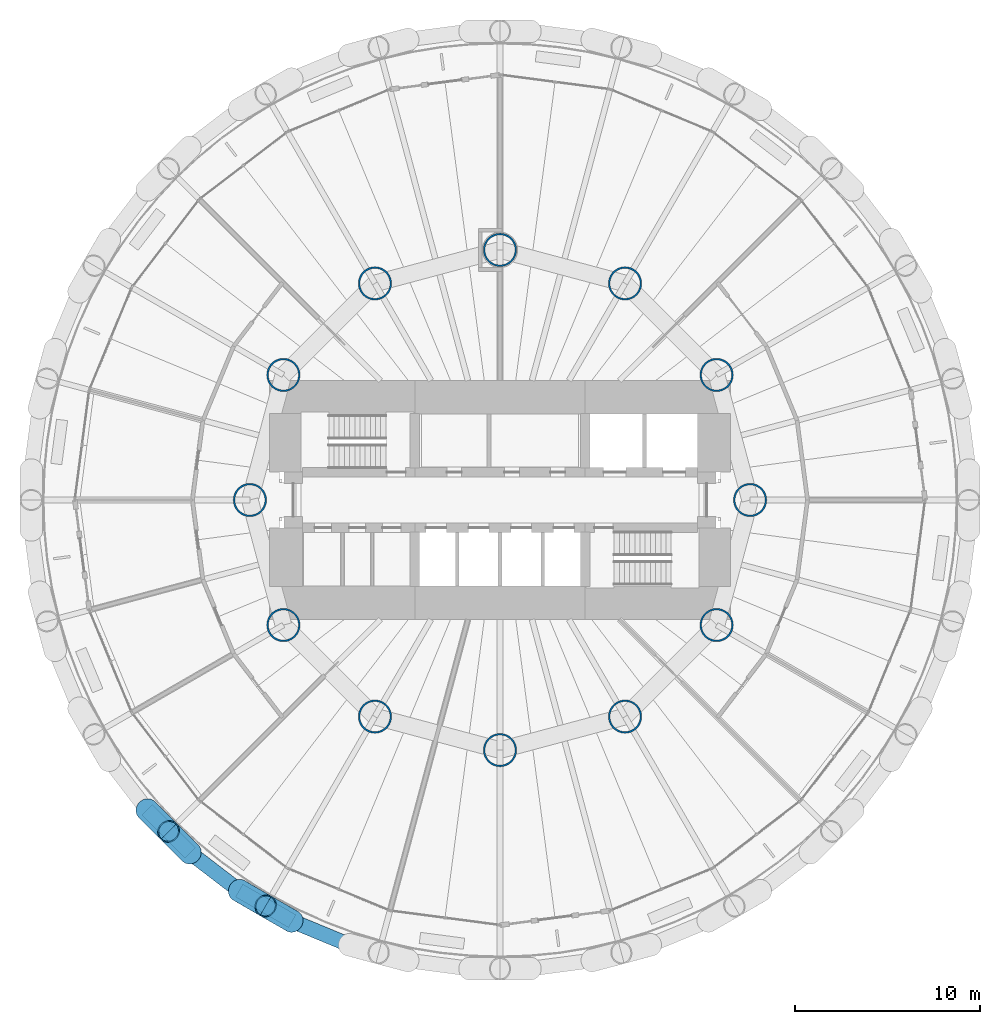
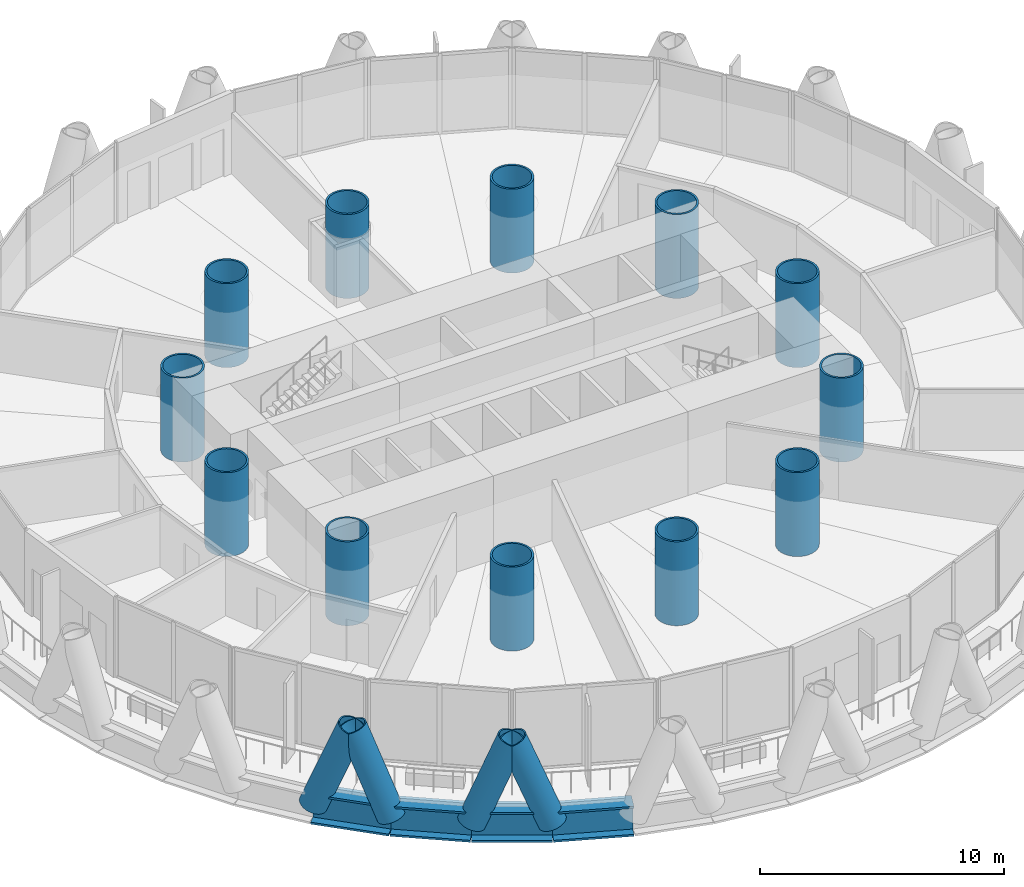
# One storey, part 1 of 16: 12 columns, 4 beams, 4 members.
"""IFC4 building model written with IfcOpenShell, lengths in metres."""

from ifc_helpers import new_model, si_unit, direction, frame, origin, origin_2d, place, context, subcontext, project, spatial, hollow_circle, i_section, extrude, material, material_profile, profile_set, type_object, element, save


model = new_model("IFC4")

# Units and contexts
model_context = context("Model", 3, precision=1e-05, world=origin(), true_north=direction((0.0, 1.0)))
body_context = subcontext(model_context, "Body", "Model", "MODEL_VIEW")
ifc_project = project(units=[si_unit("LENGTHUNIT", "METRE"), si_unit("AREAUNIT", "SQUARE_METRE"), si_unit("VOLUMEUNIT", "CUBIC_METRE"), si_unit("PLANEANGLEUNIT", "RADIAN"), si_unit("MASSUNIT", "GRAM", prefix="KILO")], contexts=[model_context])

# Site, building, storey
site_placement = place(None, origin())
site = spatial("IfcSite", under=ifc_project, at=site_placement, CompositionType="ELEMENT")
building_placement = place(site_placement, origin())
building = spatial("IfcBuilding", under=site, at=building_placement, Name="Qaws Media Tower", CompositionType="ELEMENT")
storey_placement = place(building_placement, frame((0.0, 0.0, 105.800048828125)))
storey = spatial("IfcBuildingStorey", under=building, at=storey_placement, Name="L23", CompositionType="ELEMENT", Elevation=105.800048828125)

# Columns
ifc_material_1 = material(Name="Steel S460", Category="steel")
ifc_material_profile_1 = material_profile(ifc_material_1, hollow_circle(Radius=0.89990234375, WallThickness=0.090087890625, at=origin_2d()), Name="CHS 1800x90")
ifc_profile_set_1 = profile_set([ifc_material_profile_1], Name="Steel S460")
column_type = type_object("IfcColumnType", Name="Inner column CHS 1800x90", PredefinedType="COLUMN", material=ifc_profile_set_1)
for number, where, z_axis, x_axis, name in (
    (1, (73.5, 50.0, 0.0), (0.0, 0.0, 1.0), (1.0, 0.0, 0.0), "C7 inner column I01 L23"),
    (2, (71.69140625, 56.75, 0.0), (0.0, 0.0, 1.0), (1.0, 0.0, 0.0), "C7 inner column I02 L23"),
    (3, (66.75, 61.69140625, 0.0), (0.0, 0.0, 1.0), (1.0, 0.0, 0.0), "C7 inner column I03 L23"),
    (4, (60.0, 63.5, 0.0), (0.0, 0.0, 1.0), (1.0, 0.0, 0.0), "C7 inner column I04 L23"),
    (5, (53.25, 61.69140625, 0.0), (0.0, 0.0, 1.0), (1.0, 0.0, 0.0), "C7 inner column I05 L23"),
    (6, (48.30859375, 56.75, 0.0), (0.0, 0.0, 1.0), (1.0, 0.0, 0.0), "C7 inner column I06 L23"),
    (7, (46.5, 50.0, 0.0), (0.0, 0.0, 1.0), (1.0, 0.0, 0.0), "C7 inner column I07 L23"),
    (8, (48.30859375, 43.25, 0.0), (0.0, 0.0, 1.0), (1.0, 0.0, 0.0), "C7 inner column I08 L23"),
    (9, (53.25, 38.30859375, 0.0), (0.0, 0.0, 1.0), (1.0, 0.0, 0.0), "C7 inner column I09 L23"),
    (10, (60.0, 36.5, 0.0), (0.0, 0.0, 1.0), (1.0, 0.0, 0.0), "C7 inner column I10 L23"),
    (11, (66.75, 38.30859375, 0.0), (0.0, 0.0, 1.0), (1.0, 0.0, 0.0), "C7 inner column I11 L23"),
    (12, (71.69140625, 43.25, 0.0), (0.0, 0.0, 1.0), (1.0, 0.0, 0.0), "C7 inner column I12 L23"),
):
    element("IfcColumn", number, at=place(storey_placement, frame(where, z_axis=z_axis, x_axis=x_axis)), inside=storey, type_object=column_type, Name=name, PredefinedType="COLUMN", context=body_context, shape_type="SweptSolid", body=[
        extrude(hollow_circle(Radius=0.89990234375, WallThickness=0.090087890625, at=origin_2d()), origin(), (0.0, 0.0, 1.0), 4.199951171875),
    ])

# Members
ifc_material_2 = material(Name="Steel S460", Category="steel")
ifc_material_profile_2 = material_profile(ifc_material_2, hollow_circle(Radius=0.609619140625, WallThickness=0.06005859375, at=origin_2d()), Name="CHS 1219x60")
ifc_profile_set_2 = profile_set([ifc_material_profile_2], Name="Steel S460")
member_type = type_object("IfcMemberType", Name="Diagrid member CHS 1219x60", PredefinedType="USERDEFINED", material=ifc_profile_set_2)
for number, where, z_axis, x_axis, name in (
    (13, (40.94091796875, 33.28564453125, -0.91015625), (0.2589229874, -0.260328708359, 0.930154745298), (0.709018466255, 0.705189913789, 0.0), "DG1 diagrid L23 A15"),
    (14, (45.916259765625, 28.92236328125, -0.91015625), (0.317526884372, -0.184417538326, 0.930143456279), (0.502231420014, 0.864733254102, 0.0), "DG1 diagrid L23 A16"),
    (15, (43.28564453125, 30.94091796875, -0.91015625), (-0.260328708359, 0.2589229874, 0.930154745298), (-0.705189913789, -0.709018466255, 0.0), "DG1 diagrid L23 B16"),
    (16, (48.7880859375, 27.26416015625, -0.91015625), (-0.318447761957, 0.18279658458, 0.930148607251), (-0.49783470429, -0.867271933827, 0.0), "DG1 diagrid L23 B17"),
):
    element("IfcMember", number, at=place(storey_placement, frame(where, z_axis=z_axis, x_axis=x_axis)), inside=storey, type_object=member_type, Name=name, ObjectType="DIAGRID", PredefinedType="USERDEFINED", context=body_context, shape_type="SweptSolid", body=[
        extrude(hollow_circle(Radius=0.609619140625, WallThickness=0.06005859375, at=origin_2d()), origin(), (0.0, 0.0, 1.0), 4.515625),
    ])

# Beams
ifc_material_3 = material(Name="Steel S460", Category="steel")
ifc_material_profile_3 = material_profile(ifc_material_3, i_section(OverallWidth=0.800048828125, OverallDepth=1.5, WebThickness=0.0400390625, FlangeThickness=0.10009765625, at=origin_2d()), Name="PG 1500x800")
ifc_profile_set_3 = profile_set([ifc_material_profile_3], Name="Steel S460")
beam_type = type_object("IfcBeamType", Name="Edge ring beam PG 1500x800", PredefinedType="BEAM", material=ifc_profile_set_3)
for number, where, z_axis, x_axis, name in (
    (17, (40.94091796875, 33.28564453125, -0.91015625), (0.707106781187, -0.707106781187, 0.0), (0.707106781187, 0.707106781187, 0.0), "RB7 edge ring beam L23-30"),
    (18, (43.28564453125, 30.94091796875, -0.91015625), (0.793351501673, -0.608763825135, 0.0), (0.608763825135, 0.793351501673, 0.0), "RB7 edge ring beam L23-31"),
):
    element("IfcBeam", number, at=place(storey_placement, frame(where, z_axis=z_axis, x_axis=x_axis)), inside=storey, type_object=beam_type, Name=name, PredefinedType="BEAM", context=body_context, shape_type="SweptSolid", body=[
        extrude(i_section(OverallWidth=0.800048828125, OverallDepth=1.5, WebThickness=0.0400390625, FlangeThickness=0.10009765625, at=origin_2d()), origin(), (0.0, 0.0, 1.0), 3.31591796875),
    ])
beam_1_placement = place(storey_placement, frame((45.916259765625, 28.92236328125, -0.91015625), z_axis=(0.866005358171, -0.500034718414, 0.0), x_axis=(0.500034718414, 0.866005358171, 0.0)))
element("IfcBeam", 19, at=beam_1_placement, inside=storey, type_object=beam_type, Name="RB7 edge ring beam L23-32", PredefinedType="BEAM", context=body_context, shape_type="SweptSolid", body=[
    extrude(i_section(OverallWidth=0.800048828125, OverallDepth=1.5, WebThickness=0.0400390625, FlangeThickness=0.10009765625, at=origin_2d()), origin(), (0.0, 0.0, 1.0), 3.316162109375),
])
beam_2_placement = place(storey_placement, frame((48.7880859375, 27.26416015625, -0.91015625), z_axis=(0.923893895651, -0.382648754837, 0.0), x_axis=(0.382648754837, 0.923893895651, 0.0)))
element("IfcBeam", 20, at=beam_2_placement, inside=storey, type_object=beam_type, Name="RB7 edge ring beam L23-33", PredefinedType="BEAM", context=body_context, shape_type="SweptSolid", body=[
    extrude(i_section(OverallWidth=0.800048828125, OverallDepth=1.5, WebThickness=0.0400390625, FlangeThickness=0.10009765625, at=origin_2d()), origin(), (0.0, 0.0, 1.0), 3.31591796875),
])

save(model, "model.ifc")
